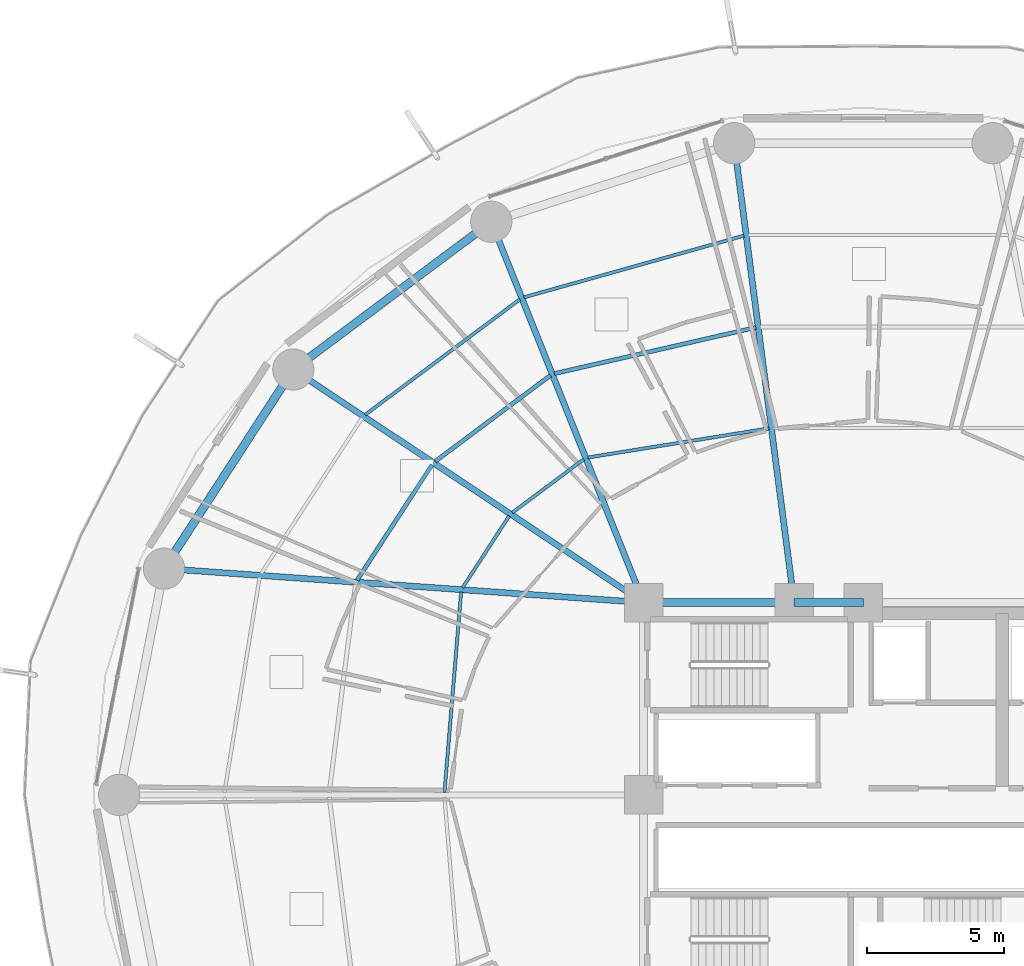
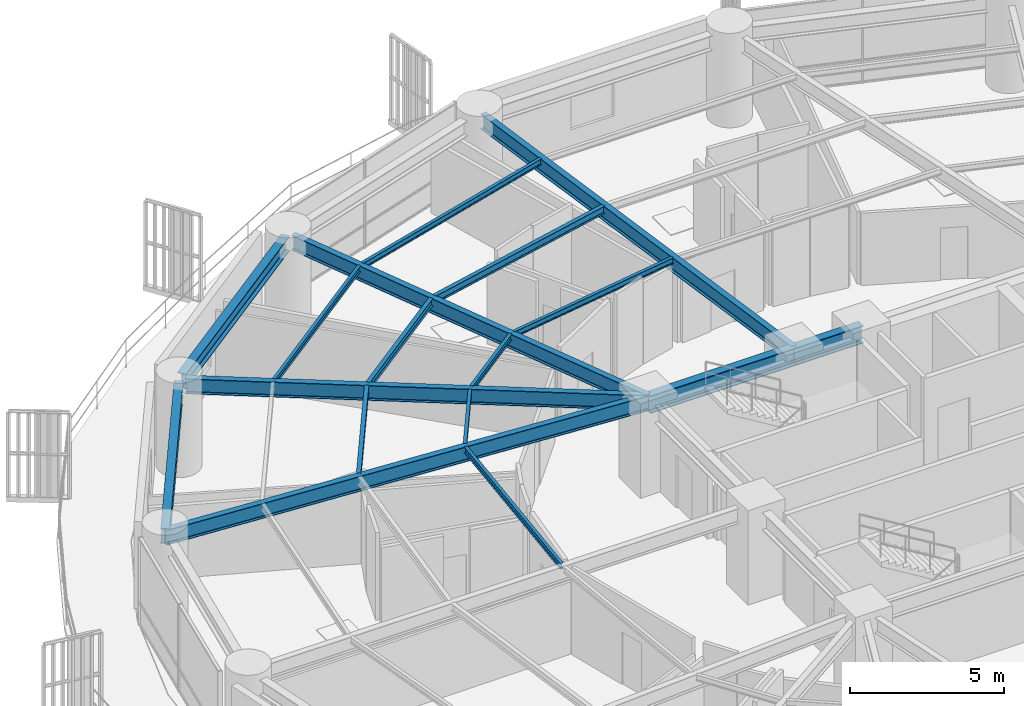
# One storey, part 16 of 33: 17 beams.
"""IFC4 building model written with IfcOpenShell, lengths in metres."""

from ifc_helpers import new_model, si_unit, direction, frame, origin, origin_2d, place, context, subcontext, project, spatial, i_section, extrude, material, material_profile, profile_set, type_object, element, save


model = new_model("IFC4")

# Units and contexts
model_context = context("Model", 3, precision=1e-05, world=origin(), true_north=direction((0.0, 1.0)))
body_context = subcontext(model_context, "Body", "Model", "MODEL_VIEW")
ifc_project = project(units=[si_unit("LENGTHUNIT", "METRE"), si_unit("AREAUNIT", "SQUARE_METRE"), si_unit("VOLUMEUNIT", "CUBIC_METRE"), si_unit("PLANEANGLEUNIT", "RADIAN"), si_unit("MASSUNIT", "GRAM", prefix="KILO")], contexts=[model_context])

# Site, building, storey
site_placement = place(None, origin())
site = spatial("IfcSite", under=ifc_project, at=site_placement, CompositionType="ELEMENT")
building_placement = place(site_placement, origin())
building = spatial("IfcBuilding", under=site, at=building_placement, Name="Kelanora Arch Commons", CompositionType="ELEMENT")
storey_placement = place(building_placement, frame((0.0, 0.0, 26.25)))
storey = spatial("IfcBuildingStorey", under=building, at=storey_placement, Name="L06", CompositionType="ELEMENT", Elevation=26.25)

# Beams
ifc_material = material(Name="Steel S355", Category="steel")
ifc_material_profile_1 = material_profile(ifc_material, i_section(OverallWidth=0.300048828125, OverallDepth=0.699951171875, WebThickness=0.01708984375, FlangeThickness=0.031982421875, FilletRadius=0.027099609375, at=origin_2d()), Name="HEB700")
ifc_profile_set_1 = profile_set([ifc_material_profile_1], Name="Steel S355")
beam_type_1 = type_object("IfcBeamType", Name="BM-CORE-HDR", PredefinedType="BEAM", material=ifc_profile_set_1)
beam_1_placement = place(storey_placement, frame((74.0, 65.0, 3.139892578125), z_axis=(-1.0, 0.0, 0.0), x_axis=(0.0, -1.0, 0.0)))
element("IfcBeam", 1, at=beam_1_placement, inside=storey, type_object=beam_type_1, Name="Core Header Beam 06 L06", PredefinedType="BEAM", context=body_context, shape_type="SweptSolid", body=[
    extrude(i_section(OverallWidth=0.300048828125, OverallDepth=0.699951171875, WebThickness=0.01708984375, FlangeThickness=0.031982421875, FilletRadius=0.027099609375, at=origin_2d()), origin(), (0.0, 0.0, 1.0), 2.52001953125),
])
beam_2_placement = place(storey_placement, frame((71.47998046875, 65.0, 3.139892578125), z_axis=(-1.0, 0.0, 0.0), x_axis=(0.0, -1.0, 0.0)))
element("IfcBeam", 2, at=beam_2_placement, inside=storey, type_object=beam_type_1, Name="Core Header Beam 07 L06", PredefinedType="BEAM", context=body_context, shape_type="SweptSolid", body=[
    extrude(i_section(OverallWidth=0.300048828125, OverallDepth=0.699951171875, WebThickness=0.01708984375, FlangeThickness=0.031982421875, FilletRadius=0.027099609375, at=origin_2d()), origin(), (0.0, 0.0, 1.0), 5.47998046875),
])
ifc_material_profile_2 = material_profile(ifc_material, i_section(OverallWidth=0.14990234375, OverallDepth=0.300048828125, WebThickness=0.007080078125, FlangeThickness=0.0107421875, FilletRadius=0.014892578125, at=origin_2d()), Name="IPE300")
ifc_profile_set_2 = profile_set([ifc_material_profile_2], Name="Steel S355")
beam_type_2 = type_object("IfcBeamType", Name="BM-JST-01", PredefinedType="JOIST", material=ifc_profile_set_2)
beam_3_placement = place(storey_placement, frame((70.087646484375, 75.009521484375, 3.340087890625), z_axis=(-0.974770159254, -0.223210968877, 0.0), x_axis=(0.223210968877, -0.974770159254, 0.0)))
element("IfcBeam", 3, at=beam_3_placement, inside=storey, type_object=beam_type_2, Name="Secondary Chord Joist BJB-10 L06", PredefinedType="JOIST", context=body_context, shape_type="SweptSolid", body=[
    extrude(i_section(OverallWidth=0.14990234375, OverallDepth=0.300048828125, WebThickness=0.007080078125, FlangeThickness=0.0107421875, FilletRadius=0.014892578125, at=origin_2d()), origin(), (0.0, 0.0, 1.0), 7.5185546875),
])
beam_4_placement = place(storey_placement, frame((62.60791015625, 73.261474609375, 3.340087890625), z_axis=(-0.801478251559, -0.598023922831, 0.0), x_axis=(0.598023922831, -0.801478251559, 0.0)))
element("IfcBeam", 4, at=beam_4_placement, inside=storey, type_object=beam_type_2, Name="Secondary Chord Joist BJB-12 L06", PredefinedType="JOIST", context=body_context, shape_type="SweptSolid", body=[
    extrude(i_section(OverallWidth=0.14990234375, OverallDepth=0.300048828125, WebThickness=0.007080078125, FlangeThickness=0.0107421875, FilletRadius=0.014892578125, at=origin_2d()), origin(), (0.0, 0.0, 1.0), 5.223388671875),
])
beam_5_placement = place(storey_placement, frame((58.306884765625, 70.015625, 3.340087890625), z_axis=(-0.544551588245, -0.838727350061, 0.0), x_axis=(0.838727350061, -0.544551588245, 0.0)))
element("IfcBeam", 5, at=beam_5_placement, inside=storey, type_object=beam_type_2, Name="Secondary Chord Joist BJB-14 L06", PredefinedType="JOIST", context=body_context, shape_type="SweptSolid", body=[
    extrude(i_section(OverallWidth=0.14990234375, OverallDepth=0.300048828125, WebThickness=0.007080078125, FlangeThickness=0.0107421875, FilletRadius=0.014892578125, at=origin_2d()), origin(), (0.0, 0.0, 1.0), 5.010986328125),
])
ifc_material_profile_3 = material_profile(ifc_material, i_section(OverallWidth=0.1201171875, OverallDepth=0.239990234375, WebThickness=0.006103515625, FlangeThickness=0.009765625, FilletRadius=0.014892578125, at=origin_2d()), Name="IPE240")
ifc_profile_set_3 = profile_set([ifc_material_profile_3], Name="Steel S355")
beam_type_3 = type_object("IfcBeamType", Name="BM-JST-02", PredefinedType="JOIST", material=ifc_profile_set_3)
beam_6_placement = place(storey_placement, frame((70.56689453125, 71.337890625, 3.3701171875), z_axis=(-0.987306715654, -0.158825215959, 0.0), x_axis=(0.158825215959, -0.987306715654, 0.0)))
element("IfcBeam", 6, at=beam_6_placement, inside=storey, type_object=beam_type_3, Name="Secondary Chord Joist BJA-10 L06", PredefinedType="JOIST", context=body_context, shape_type="SweptSolid", body=[
    extrude(i_section(OverallWidth=0.1201171875, OverallDepth=0.239990234375, WebThickness=0.006103515625, FlangeThickness=0.009765625, FilletRadius=0.014892578125, at=origin_2d()), origin(), (0.0, 0.0, 1.0), 6.6728515625),
])
beam_7_placement = place(storey_placement, frame((69.652099609375, 78.348388671875, 3.3701171875), z_axis=(-0.962914880978, -0.269805359456, 0.0), x_axis=(0.269805359456, -0.962914880978, 0.0)))
element("IfcBeam", 7, at=beam_7_placement, inside=storey, type_object=beam_type_3, Name="Secondary Chord Joist BJC-10 L06", PredefinedType="JOIST", context=body_context, shape_type="SweptSolid", body=[
    extrude(i_section(OverallWidth=0.1201171875, OverallDepth=0.239990234375, WebThickness=0.006103515625, FlangeThickness=0.009765625, FilletRadius=0.014892578125, at=origin_2d()), origin(), (0.0, 0.0, 1.0), 8.310302734375),
])
beam_8_placement = place(storey_placement, frame((63.82666015625, 70.213623046875, 3.3701171875), z_axis=(-0.801513822608, -0.59797624716, 0.0), x_axis=(0.59797624716, -0.801513822608, 0.0)))
element("IfcBeam", 8, at=beam_8_placement, inside=storey, type_object=beam_type_3, Name="Secondary Chord Joist BJA-12 L06", PredefinedType="JOIST", context=body_context, shape_type="SweptSolid", body=[
    extrude(i_section(OverallWidth=0.1201171875, OverallDepth=0.239990234375, WebThickness=0.006103515625, FlangeThickness=0.009765625, FilletRadius=0.014892578125, at=origin_2d()), origin(), (0.0, 0.0, 1.0), 3.245849609375),
])
beam_9_placement = place(storey_placement, frame((61.5, 76.0322265625, 3.3701171875), z_axis=(-0.80149131963, -0.598006408459, 0.0), x_axis=(0.598006408459, -0.80149131963, 0.0)))
element("IfcBeam", 9, at=beam_9_placement, inside=storey, type_object=beam_type_3, Name="Secondary Chord Joist BJC-12 L06", PredefinedType="JOIST", context=body_context, shape_type="SweptSolid", body=[
    extrude(i_section(OverallWidth=0.1201171875, OverallDepth=0.239990234375, WebThickness=0.006103515625, FlangeThickness=0.009765625, FilletRadius=0.014892578125, at=origin_2d()), origin(), (0.0, 0.0, 1.0), 7.021240234375),
])
beam_10_placement = place(storey_placement, frame((61.11083984375, 68.150390625, 3.3701171875), z_axis=(-0.544591105858, -0.838701691557, 0.0), x_axis=(0.838701691557, -0.544591105858, 0.0)))
element("IfcBeam", 10, at=beam_10_placement, inside=storey, type_object=beam_type_3, Name="Secondary Chord Joist BJA-14 L06", PredefinedType="JOIST", context=body_context, shape_type="SweptSolid", body=[
    extrude(i_section(OverallWidth=0.1201171875, OverallDepth=0.239990234375, WebThickness=0.006103515625, FlangeThickness=0.009765625, FilletRadius=0.014892578125, at=origin_2d()), origin(), (0.0, 0.0, 1.0), 3.111328125),
])
beam_11_placement = place(storey_placement, frame((59.363037109375, 65.385009765625, 3.3701171875), z_axis=(-0.082786209886, -0.996567330115, 0.0), x_axis=(0.996567330115, -0.082786209886, 0.0)))
element("IfcBeam", 11, at=beam_11_placement, inside=storey, type_object=beam_type_3, Name="Secondary Chord Joist BJA-16 L06", PredefinedType="JOIST", context=body_context, shape_type="SweptSolid", body=[
    extrude(i_section(OverallWidth=0.1201171875, OverallDepth=0.239990234375, WebThickness=0.006103515625, FlangeThickness=0.009765625, FilletRadius=0.014892578125, at=origin_2d()), origin(), (0.0, 0.0, 1.0), 7.325439453125),
])
ifc_material_profile_4 = material_profile(ifc_material, i_section(OverallWidth=0.219970703125, OverallDepth=0.60009765625, WebThickness=0.011962890625, FlangeThickness=0.01904296875, FilletRadius=0.02392578125, at=origin_2d()), Name="IPE600")
ifc_profile_set_4 = profile_set([ifc_material_profile_4], Name="Steel S355")
beam_type_4 = type_object("IfcBeamType", Name="BM-RAD-Z1", PredefinedType="BEAM", material=ifc_profile_set_4)
beam_12_placement = place(storey_placement, frame((71.47998046875, 65.0, 3.18994140625), z_axis=(-0.129465914729, 0.991583872864, 0.0), x_axis=(-0.991583872864, -0.129465914729, 0.0)))
element("IfcBeam", 12, at=beam_12_placement, inside=storey, type_object=beam_type_4, Name="Radial Floor Girder BR-10 L06", PredefinedType="BEAM", context=body_context, shape_type="SweptSolid", body=[
    extrude(i_section(OverallWidth=0.219970703125, OverallDepth=0.60009765625, WebThickness=0.011962890625, FlangeThickness=0.01904296875, FilletRadius=0.02392578125, at=origin_2d()), origin(), (0.0, 0.0, 1.0), 16.635986328125),
])
beam_13_placement = place(storey_placement, frame((66.0, 65.0, 3.18994140625), z_axis=(-0.371296182896, 0.928514482691, 0.0), x_axis=(-0.928514482691, -0.371296182896, 0.0)))
element("IfcBeam", 13, at=beam_13_placement, inside=storey, type_object=beam_type_4, Name="Radial Floor Girder BR-12 L06", PredefinedType="BEAM", context=body_context, shape_type="SweptSolid", body=[
    extrude(i_section(OverallWidth=0.219970703125, OverallDepth=0.60009765625, WebThickness=0.011962890625, FlangeThickness=0.01904296875, FilletRadius=0.02392578125, at=origin_2d()), origin(), (0.0, 0.0, 1.0), 14.700439453125),
])
beam_14_placement = place(storey_placement, frame((66.0, 65.0, 3.18994140625), z_axis=(-0.832592623638, 0.553885839379, 0.0), x_axis=(-0.553885839379, -0.832592623638, 0.0)))
element("IfcBeam", 14, at=beam_14_placement, inside=storey, type_object=beam_type_4, Name="Radial Floor Girder BR-14 L06", PredefinedType="BEAM", context=body_context, shape_type="SweptSolid", body=[
    extrude(i_section(OverallWidth=0.219970703125, OverallDepth=0.60009765625, WebThickness=0.011962890625, FlangeThickness=0.01904296875, FilletRadius=0.02392578125, at=origin_2d()), origin(), (0.0, 0.0, 1.0), 15.0869140625),
])
beam_15_placement = place(storey_placement, frame((66.0, 65.0, 3.18994140625), z_axis=(-0.997500683472, 0.070656821848, 0.0), x_axis=(-0.070656821848, -0.997500683472, 0.0)))
element("IfcBeam", 15, at=beam_15_placement, inside=storey, type_object=beam_type_4, Name="Radial Floor Girder BR-16 L06", PredefinedType="BEAM", context=body_context, shape_type="SweptSolid", body=[
    extrude(i_section(OverallWidth=0.219970703125, OverallDepth=0.60009765625, WebThickness=0.011962890625, FlangeThickness=0.01904296875, FilletRadius=0.02392578125, at=origin_2d()), origin(), (0.0, 0.0, 1.0), 17.49072265625),
])
ifc_material_profile_5 = material_profile(ifc_material, i_section(OverallWidth=0.300048828125, OverallDepth=0.60009765625, WebThickness=0.015380859375, FlangeThickness=0.030029296875, FilletRadius=0.027099609375, at=origin_2d()), Name="HEB600")
ifc_profile_set_5 = profile_set([ifc_material_profile_5], Name="Steel S355")
beam_type_5 = type_object("IfcBeamType", Name="BM-SPN-Z1", PredefinedType="SPANDREL", material=ifc_profile_set_5)
beam_16_placement = place(storey_placement, frame((60.28369140625, 78.722412109375, 3.18994140625), z_axis=(-0.801474585329, -0.598028836322, 0.0), x_axis=(0.598028836322, -0.801474585329, 0.0)))
element("IfcBeam", 16, at=beam_16_placement, inside=storey, type_object=beam_type_5, Name="Perimeter Spandrel Beam BS-12 L06", PredefinedType="SPANDREL", context=body_context, shape_type="SweptSolid", body=[
    extrude(i_section(OverallWidth=0.300048828125, OverallDepth=0.60009765625, WebThickness=0.015380859375, FlangeThickness=0.030029296875, FilletRadius=0.027099609375, at=origin_2d()), origin(), (0.0, 0.0, 1.0), 8.549072265625),
])
beam_17_placement = place(storey_placement, frame((53.1357421875, 73.293701171875, 3.18994140625), z_axis=(-0.544583445345, -0.83870666568, 0.0), x_axis=(0.83870666568, -0.544583445345, 0.0)))
element("IfcBeam", 17, at=beam_17_placement, inside=storey, type_object=beam_type_5, Name="Perimeter Spandrel Beam BS-14 L06", PredefinedType="SPANDREL", context=body_context, shape_type="SweptSolid", body=[
    extrude(i_section(OverallWidth=0.300048828125, OverallDepth=0.60009765625, WebThickness=0.015380859375, FlangeThickness=0.030029296875, FilletRadius=0.027099609375, at=origin_2d()), origin(), (0.0, 0.0, 1.0), 8.415283203125),
])

save(model, "model.ifc")
